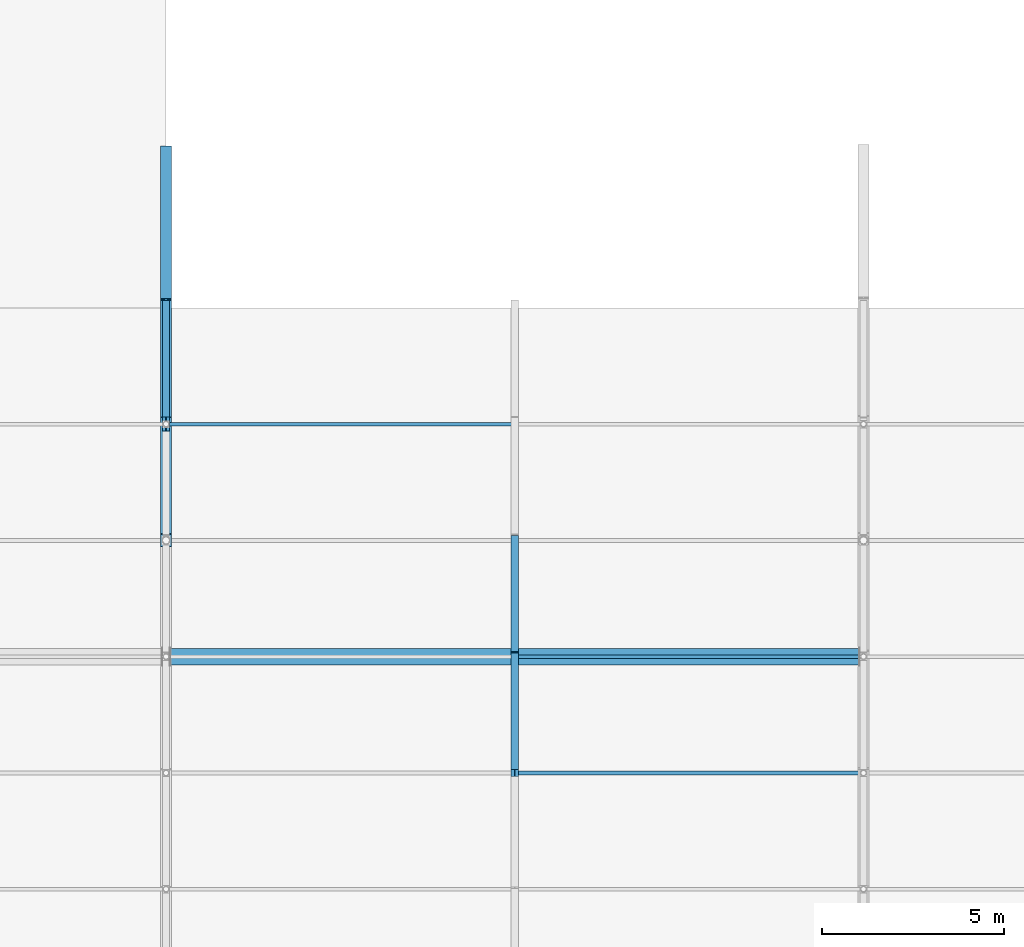
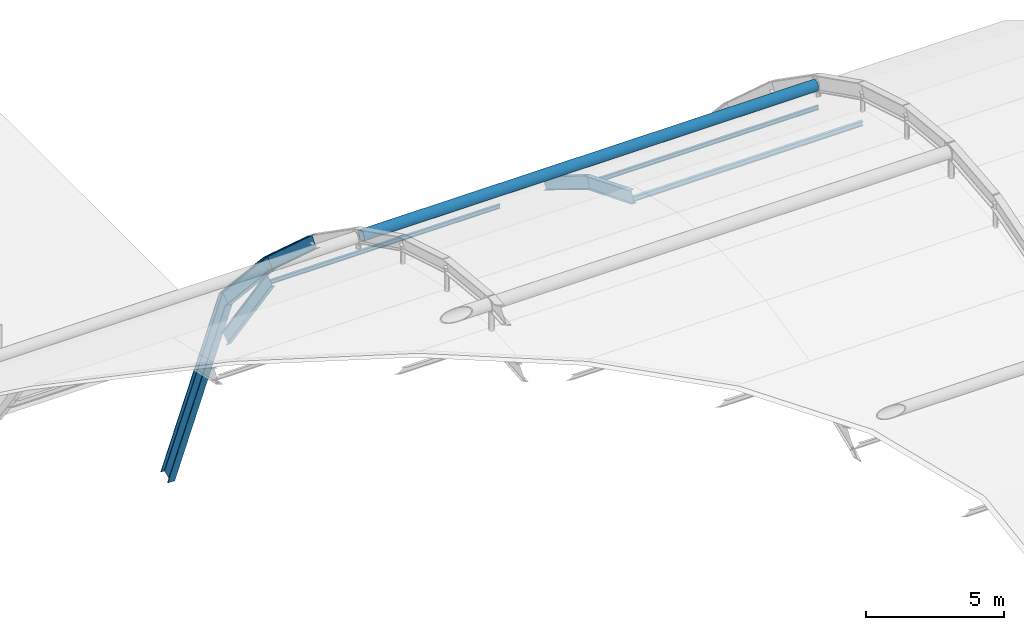
# One storey, part 88 of 126: 6 beams, 4 members.
"""IFC4 building model written with IfcOpenShell, lengths in metres."""

from ifc_helpers import new_model, si_unit, direction, frame, origin, origin_2d, place, context, subcontext, project, spatial, hollow_circle, i_section, extrude, material, material_profile, profile_set, type_object, element, save


model = new_model("IFC4")

# Units and contexts
model_context = context("Model", 3, precision=1e-05, world=origin(), true_north=direction((0.0, 1.0)))
body_context = subcontext(model_context, "Body", "Model", "MODEL_VIEW")
ifc_project = project(units=[si_unit("LENGTHUNIT", "METRE"), si_unit("AREAUNIT", "SQUARE_METRE"), si_unit("VOLUMEUNIT", "CUBIC_METRE"), si_unit("PLANEANGLEUNIT", "RADIAN"), si_unit("MASSUNIT", "GRAM", prefix="KILO")], contexts=[model_context])

# Site, building, storey
site_placement = place(None, origin())
site = spatial("IfcSite", under=ifc_project, at=site_placement, CompositionType="ELEMENT")
building_placement = place(site_placement, origin())
building = spatial("IfcBuilding", under=site, at=building_placement, Name="Coralgate Yard Interchange", CompositionType="ELEMENT")
storey_placement = place(building_placement, frame((0.0, 0.0, 10.5)))
storey = spatial("IfcBuildingStorey", under=building, at=storey_placement, Name="L02", CompositionType="ELEMENT", Elevation=10.5)

# Beams
ifc_material_1 = material(Name="Yellow-ochre weather-coated structural steel S355J2", Category="steel")
ifc_material_profile_1 = material_profile(ifc_material_1, i_section(OverallWidth=0.300048828125, OverallDepth=0.550048828125, WebThickness=0.014892578125, FlangeThickness=0.029052734375, FilletRadius=0.027099609375, at=origin_2d()), Name="HEB 550")
ifc_profile_set_1 = profile_set([ifc_material_profile_1], Name="Yellow-ochre weather-coated structural steel S355J2")
beam_type_1 = type_object("IfcBeamType", Name="BM-AR-2", PredefinedType="BEAM", material=ifc_profile_set_1)
beam_1_placement = place(storey_placement, frame((105.60009765625, 70.39990234375, 8.0888671875), z_axis=(0.0, 0.743892086075, -0.668299756303), x_axis=(-1.0, 0.0, 0.0)))
element("IfcBeam", 1, at=beam_1_placement, inside=storey, type_object=beam_type_1, Name="Yellow-ochre overarching steel arch AR-4 chord 12", PredefinedType="BEAM", context=body_context, shape_type="SweptSolid", body=[
    extrude(i_section(OverallWidth=0.300048828125, OverallDepth=0.550048828125, WebThickness=0.014892578125, FlangeThickness=0.029052734375, FilletRadius=0.027099609375, at=origin_2d()), origin(), (0.0, 0.0, 1.0), 4.302001953125),
])
beam_2_placement = place(storey_placement, frame((105.60009765625, 73.60009765625, 5.2138671875), z_axis=(0.0, 0.673304095466, -0.739365670713), x_axis=(-1.0, 0.0, 0.0)))
element("IfcBeam", 2, at=beam_2_placement, inside=storey, type_object=beam_type_1, Name="Yellow-ochre overarching steel arch AR-4 chord 13", PredefinedType="BEAM", context=body_context, shape_type="SweptSolid", body=[
    extrude(i_section(OverallWidth=0.300048828125, OverallDepth=0.550048828125, WebThickness=0.014892578125, FlangeThickness=0.029052734375, FilletRadius=0.027099609375, at=origin_2d()), origin(), (0.0, 0.0, 1.0), 4.752685546875),
])
beam_3_placement = place(storey_placement, frame((105.60009765625, 76.800048828125, 1.699951171875), z_axis=(0.0, 0.374462329793, -0.927242127799), x_axis=(-1.0, 0.0, 0.0)))
element("IfcBeam", 3, at=beam_3_placement, inside=storey, type_object=beam_type_1, Name="Yellow-ochre overarching steel arch AR-4 chord 14", PredefinedType="BEAM", context=body_context, shape_type="SweptSolid", body=[
    extrude(i_section(OverallWidth=0.300048828125, OverallDepth=0.550048828125, WebThickness=0.014892578125, FlangeThickness=0.029052734375, FilletRadius=0.027099609375, at=origin_2d()), origin(), (0.0, 0.0, 1.0), 11.216064453125),
])
ifc_material_2 = material(Name="Weather-coated structural steel S355J2", Category="steel")
ifc_material_profile_2 = material_profile(ifc_material_2, i_section(OverallWidth=0.209228515625, OverallDepth=0.533203125, WebThickness=0.010009765625, FlangeThickness=0.015625, FilletRadius=0.0126953125, at=origin_2d()), Name="UB 533x210x92")
ifc_profile_set_2 = profile_set([ifc_material_profile_2], Name="Weather-coated structural steel S355J2")
beam_type_2 = type_object("IfcBeamType", Name="BM-VR-1", PredefinedType="BEAM", material=ifc_profile_set_2)
beam_4_placement = place(storey_placement, frame((115.199951171875, 64.0, 10.58349609375), z_axis=(0.0, 0.927713244188, -0.373293633161), x_axis=(-1.0, 0.0, 0.0)))
element("IfcBeam", 4, at=beam_4_placement, inside=storey, type_object=beam_type_2, Name="Barrel-vault gridshell rib 9 seg 9", PredefinedType="BEAM", context=body_context, shape_type="SweptSolid", body=[
    extrude(i_section(OverallWidth=0.209228515625, OverallDepth=0.533203125, WebThickness=0.010009765625, FlangeThickness=0.015625, FilletRadius=0.0126953125, at=origin_2d()), origin(), (0.0, 0.0, 1.0), 3.44921875),
])
beam_5_placement = place(storey_placement, frame((115.199951171875, 67.199951171875, 9.2958984375), z_axis=(0.0, 0.852378727212, -0.522924951973), x_axis=(-1.0, 0.0, 0.0)))
element("IfcBeam", 5, at=beam_5_placement, inside=storey, type_object=beam_type_2, Name="Barrel-vault gridshell rib 9 seg 10", PredefinedType="BEAM", context=body_context, shape_type="SweptSolid", body=[
    extrude(i_section(OverallWidth=0.209228515625, OverallDepth=0.533203125, WebThickness=0.010009765625, FlangeThickness=0.015625, FilletRadius=0.0126953125, at=origin_2d()), origin(), (0.0, 0.0, 1.0), 3.754150390625),
])
ifc_material_profile_3 = material_profile(ifc_material_2, i_section(OverallWidth=0.199951171875, OverallDepth=0.5, WebThickness=0.01025390625, FlangeThickness=0.01611328125, FilletRadius=0.02099609375, at=origin_2d()), Name="IPE 500")
ifc_profile_set_3 = profile_set([ifc_material_profile_3], Name="Weather-coated structural steel S355J2")
beam_type_3 = type_object("IfcBeamType", Name="BM-VR-2", PredefinedType="BEAM", material=ifc_profile_set_3)
beam_6_placement = place(storey_placement, frame((105.60009765625, 73.60009765625, 4.436279296875), z_axis=(0.0, 0.578975368299, -0.81534503304), x_axis=(-1.0, 0.0, 0.0)))
element("IfcBeam", 6, at=beam_6_placement, inside=storey, type_object=beam_type_3, Name="Barrel-vault gridshell rib 8 seg 12", PredefinedType="BEAM", context=body_context, shape_type="SweptSolid", body=[
    extrude(i_section(OverallWidth=0.199951171875, OverallDepth=0.5, WebThickness=0.01025390625, FlangeThickness=0.01611328125, FilletRadius=0.02099609375, at=origin_2d()), origin(), (0.0, 0.0, 1.0), 5.52685546875),
])

# Members
ifc_material_profile_4 = material_profile(ifc_material_1, hollow_circle(Radius=0.228515625, WallThickness=0.01611328125, at=origin_2d()), Name="CHS 457x16")
ifc_profile_set_4 = profile_set([ifc_material_profile_4], Name="Yellow-ochre weather-coated structural steel S355J2")
member_type_1 = type_object("IfcMemberType", Name="MB-GC-7", PredefinedType="CHORD", material=ifc_profile_set_4)
member_1_placement = place(storey_placement, frame((105.719970703125, 67.199951171875, 10.25), z_axis=(1.0, 0.0, 0.0), x_axis=(0.0, 1.0, 0.0)))
element("IfcMember", 7, at=member_1_placement, inside=storey, type_object=member_type_1, Name="Arch longitudinal tie strut 4-N", PredefinedType="CHORD", context=body_context, shape_type="SweptSolid", body=[
    extrude(hollow_circle(Radius=0.228515625, WallThickness=0.01611328125, at=origin_2d()), origin(), (0.0, 0.0, 1.0), 18.9599609375),
])
ifc_material_profile_5 = material_profile(ifc_material_2, i_section(OverallWidth=0.110107421875, OverallDepth=0.219970703125, WebThickness=0.005859375, FlangeThickness=0.00927734375, FilletRadius=0.011962890625, at=origin_2d()), Name="IPE 220")
ifc_profile_set_5 = profile_set([ifc_material_profile_5], Name="Weather-coated structural steel S355J2")
member_type_2 = type_object("IfcMemberType", Name="MB-PR-1", PredefinedType="PURLIN", material=ifc_profile_set_5)
member_2_placement = place(storey_placement, frame((115.201904296875, 64.0, 10.489990234375), z_axis=(1.0, 0.0, 0.0), x_axis=(0.0, 1.0, 0.0)))
element("IfcMember", 8, at=member_2_placement, inside=storey, type_object=member_type_2, Name="Barrel-vault gridshell purlin 9-9", PredefinedType="PURLIN", context=body_context, shape_type="SweptSolid", body=[
    extrude(i_section(OverallWidth=0.110107421875, OverallDepth=0.219970703125, WebThickness=0.005859375, FlangeThickness=0.00927734375, FilletRadius=0.011962890625, at=origin_2d()), origin(), (0.0, 0.0, 1.0), 9.59619140625),
])
ifc_material_3 = material(Name="Off-white architectural structural steel S355J2", Category="steel")
ifc_material_profile_6 = material_profile(ifc_material_3, i_section(OverallWidth=0.091064453125, OverallDepth=0.179931640625, WebThickness=0.00537109375, FlangeThickness=0.008056640625, FilletRadius=0.009033203125, at=origin_2d()), Name="IPE 180")
ifc_profile_set_6 = profile_set([ifc_material_profile_6], Name="Off-white architectural structural steel S355J2")
member_type_3 = type_object("IfcMemberType", Name="MB-PR-2", PredefinedType="PURLIN", material=ifc_profile_set_6)
member_3_placement = place(storey_placement, frame((105.60205078125, 73.60009765625, 4.3662109375), z_axis=(1.0, 0.0, 0.0), x_axis=(0.0, 1.0, 0.0)))
element("IfcMember", 9, at=member_3_placement, inside=storey, type_object=member_type_3, Name="Barrel-vault gridshell purlin 8-12", PredefinedType="PURLIN", context=body_context, shape_type="SweptSolid", body=[
    extrude(i_section(OverallWidth=0.091064453125, OverallDepth=0.179931640625, WebThickness=0.00537109375, FlangeThickness=0.008056640625, FilletRadius=0.009033203125, at=origin_2d()), origin(), (0.0, 0.0, 1.0), 9.595947265625),
])
member_4_placement = place(storey_placement, frame((115.201904296875, 67.199951171875, 9.242431640625), z_axis=(1.0, 0.0, 0.0), x_axis=(0.0, 1.0, 0.0)))
element("IfcMember", 10, at=member_4_placement, inside=storey, type_object=member_type_3, Name="Barrel-vault gridshell purlin 9-10", PredefinedType="PURLIN", context=body_context, shape_type="SweptSolid", body=[
    extrude(i_section(OverallWidth=0.091064453125, OverallDepth=0.179931640625, WebThickness=0.00537109375, FlangeThickness=0.008056640625, FilletRadius=0.009033203125, at=origin_2d()), origin(), (0.0, 0.0, 1.0), 9.59619140625),
])

save(model, "model.ifc")
